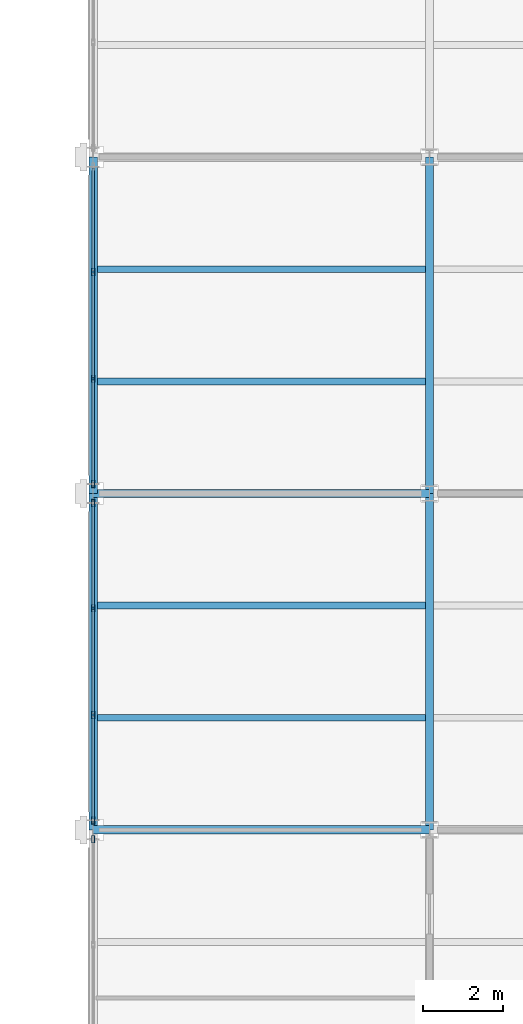
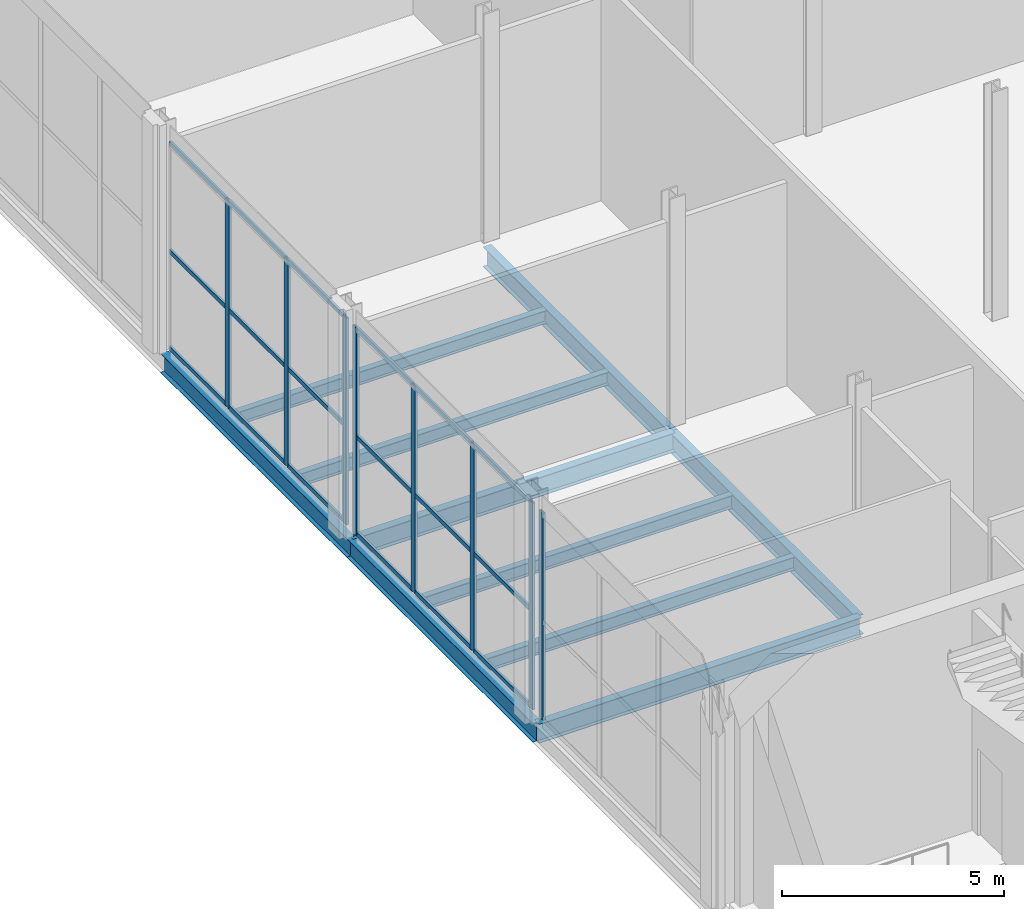
# One storey, part 29 of 77: 26 members, 10 beams, 3 elements without a shape of their own.
"""IFC4 building model written with IfcOpenShell, lengths in metres."""

from ifc_helpers import new_model, si_unit, direction, frame, origin, origin_2d, place, context, subcontext, project, spatial, hollow_rectangle, i_section, extrude, material, material_profile, profile_set, type_object, element, aggregate, save


model = new_model("IFC4")

# Units and contexts
model_context = context("Model", 3, precision=1e-05, world=origin(), true_north=direction((0.0, 1.0)))
body_context = subcontext(model_context, "Body", "Model", "MODEL_VIEW")
ifc_project = project(units=[si_unit("LENGTHUNIT", "METRE"), si_unit("AREAUNIT", "SQUARE_METRE"), si_unit("VOLUMEUNIT", "CUBIC_METRE"), si_unit("PLANEANGLEUNIT", "RADIAN"), si_unit("MASSUNIT", "GRAM", prefix="KILO")], contexts=[model_context])

# Site, building, storey
site_placement = place(None, origin())
site = spatial("IfcSite", under=ifc_project, at=site_placement, CompositionType="ELEMENT")
building_placement = place(site_placement, origin())
building = spatial("IfcBuilding", under=site, at=building_placement, Name="Catenary Quay Ferry Terminal", CompositionType="ELEMENT")
storey_placement = place(building_placement, frame((0.0, 0.0, 10.800048828125)))
storey = spatial("IfcBuildingStorey", under=building, at=storey_placement, Name="L02", CompositionType="ELEMENT", Elevation=10.800048828125)

# Beams
ifc_material_1 = material(Name="Steel S355", Category="steel")
ifc_material_profile_1 = material_profile(ifc_material_1, i_section(OverallWidth=0.208740234375, OverallDepth=0.5283203125, WebThickness=0.009521484375, FlangeThickness=0.01318359375, at=origin_2d()), Name="UB 533x210x82")
ifc_profile_set_1 = profile_set([ifc_material_profile_1], Name="Steel S355")
beam_type_1 = type_object("IfcBeamType", Name="B5 UB 533x210x82", PredefinedType="BEAM", material=ifc_profile_set_1)
for number, where, z_axis, x_axis, name in (
    (1, (25.199951171875, 176.39990234375, -0.51416015625), (1.0, 0.0, 0.0), (0.0, 1.0, 0.0), "Beam B5-005"),
    (2, (25.199951171875, 184.800048828125, -0.51416015625), (1.0, 0.0, 0.0), (0.0, 1.0, 0.0), "Beam B5-010"),
    (3, (25.199951171875, 176.39990234375, -0.51416015625), (0.0, 1.0, 0.0), (-1.0, 0.0, 0.0), "Beam B5-026"),
):
    element("IfcBeam", number, at=place(storey_placement, frame(where, z_axis=z_axis, x_axis=x_axis)), inside=storey, type_object=beam_type_1, Name=name, PredefinedType="BEAM", context=body_context, shape_type="SweptSolid", body=[
        extrude(i_section(OverallWidth=0.208740234375, OverallDepth=0.5283203125, WebThickness=0.009521484375, FlangeThickness=0.01318359375, at=origin_2d()), origin(), (0.0, 0.0, 1.0), 8.400146484375),
    ])
beam_1_placement = place(storey_placement, frame((25.199951171875, 184.800048828125, -0.51416015625), z_axis=(0.0, 1.0, 0.0), x_axis=(-1.0, 0.0, 0.0)))
element("IfcBeam", 4, at=beam_1_placement, inside=storey, type_object=beam_type_1, Name="Beam B5-027", PredefinedType="BEAM", context=body_context, shape_type="SweptSolid", body=[
    extrude(i_section(OverallWidth=0.208740234375, OverallDepth=0.5283203125, WebThickness=0.009521484375, FlangeThickness=0.01318359375, at=origin_2d()), origin(), (0.0, 0.0, 1.0), 8.39990234375),
])
ifc_material_2 = material(Name="Steel S355", Category="steel")
ifc_material_profile_2 = material_profile(ifc_material_2, i_section(OverallWidth=0.2099609375, OverallDepth=0.550048828125, WebThickness=0.010986328125, FlangeThickness=0.01708984375, at=origin_2d()), Name="IPE 550")
ifc_profile_set_2 = profile_set([ifc_material_profile_2], Name="Steel S355")
beam_type_2 = type_object("IfcBeamType", Name="B6 IPE 550", PredefinedType="BEAM", material=ifc_profile_set_2)
beam_2_placement = place(storey_placement, frame((33.60009765625, 176.39990234375, -0.525146484375), z_axis=(0.0, 1.0, 0.0), x_axis=(-1.0, 0.0, 0.0)))
element("IfcBeam", 5, at=beam_2_placement, inside=storey, type_object=beam_type_2, Name="Beam B6-002", PredefinedType="BEAM", context=body_context, shape_type="SweptSolid", body=[
    extrude(i_section(OverallWidth=0.2099609375, OverallDepth=0.550048828125, WebThickness=0.010986328125, FlangeThickness=0.01708984375, at=origin_2d()), origin(), (0.0, 0.0, 1.0), 8.400146484375),
])
beam_3_placement = place(storey_placement, frame((33.60009765625, 184.800048828125, -0.525146484375), z_axis=(0.0, 1.0, 0.0), x_axis=(-1.0, 0.0, 0.0)))
element("IfcBeam", 6, at=beam_3_placement, inside=storey, type_object=beam_type_2, Name="Beam B6-003", PredefinedType="BEAM", context=body_context, shape_type="SweptSolid", body=[
    extrude(i_section(OverallWidth=0.2099609375, OverallDepth=0.550048828125, WebThickness=0.010986328125, FlangeThickness=0.01708984375, at=origin_2d()), origin(), (0.0, 0.0, 1.0), 8.39990234375),
])
ifc_material_3 = material(Name="Steel S355", Category="steel")
ifc_material_profile_3 = material_profile(ifc_material_3, i_section(OverallWidth=0.169921875, OverallDepth=0.360107421875, WebThickness=0.008056640625, FlangeThickness=0.0126953125, at=origin_2d()), Name="IPE 360")
ifc_profile_set_3 = profile_set([ifc_material_profile_3], Name="Steel S355")
beam_type_3 = type_object("IfcBeamType", Name="B7 IPE 360", PredefinedType="BEAM", material=ifc_profile_set_3)
for number, where, z_axis, x_axis, name in (
    (7, (25.303955078125, 179.199951171875, -0.429931640625), (1.0, 0.0, 0.0), (0.0, 1.0, 0.0), "Beam B7-015"),
    (8, (25.303955078125, 182.0, -0.429931640625), (1.0, 0.0, 0.0), (0.0, 1.0, 0.0), "Beam B7-020"),
    (9, (25.303955078125, 187.60009765625, -0.429931640625), (1.0, 0.0, 0.0), (0.0, 1.0, 0.0), "Beam B7-025"),
    (10, (25.303955078125, 190.39990234375, -0.429931640625), (1.0, 0.0, 0.0), (0.0, 1.0, 0.0), "Beam B7-030"),
):
    element("IfcBeam", number, at=place(storey_placement, frame(where, z_axis=z_axis, x_axis=x_axis)), inside=storey, type_object=beam_type_3, Name=name, PredefinedType="BEAM", context=body_context, shape_type="SweptSolid", body=[
        extrude(i_section(OverallWidth=0.169921875, OverallDepth=0.360107421875, WebThickness=0.008056640625, FlangeThickness=0.0126953125, at=origin_2d()), origin(), (0.0, 0.0, 1.0), 8.191162109375),
    ])

# Curtain wall, member
ifc_material_4 = material(Name="Aluminium and glass", Category="aluminium")
curtain_wall_type = type_object("IfcCurtainWallType", Name="CWW2", PredefinedType="NOTDEFINED", material=ifc_material_4)
curtain_wall_1_placement = place(storey_placement, origin())
curtain_wall_1 = element("IfcCurtainWall", 11, at=curtain_wall_1_placement, inside=storey, type_object=curtain_wall_type, Name="Wing curtain wall CW138", PredefinedType="NOTDEFINED")
ifc_material_5 = material(Name="Aluminium", Category="aluminium")
ifc_material_profile_4 = material_profile(ifc_material_5, hollow_rectangle(XDim=0.070068359375, YDim=0.179931640625, WallThickness=0.006103515625, at=origin_2d()), Name="MU3")
ifc_profile_set_4 = profile_set([ifc_material_profile_4], Name="Aluminium")
member_type_1 = type_object("IfcMemberType", Name="MU3", PredefinedType="MULLION", material=ifc_profile_set_4)
member_1_placement = place(storey_placement, frame((25.199951171875, 176.1650390625, 0.0), z_axis=(0.0, 0.0, 1.0), x_axis=(-1.0, 0.0, 0.0)))
member_1 = element("IfcMember", 12, at=member_1_placement, type_object=member_type_1, Name="CW138 mullion 4", PredefinedType="MULLION", context=body_context, shape_type="SweptSolid", body=[
    extrude(hollow_rectangle(XDim=0.070068359375, YDim=0.179931640625, WallThickness=0.006103515625, at=origin_2d()), origin(), (0.0, 0.0, 1.0), 5.699951171875),
])
aggregate(curtain_wall_1, [member_1])

# Curtain wall, members
curtain_wall_2_placement = place(storey_placement, origin())
curtain_wall_2 = element("IfcCurtainWall", 13, at=curtain_wall_2_placement, inside=storey, type_object=curtain_wall_type, Name="Wing curtain wall CW139", PredefinedType="NOTDEFINED")
member_2_placement = place(storey_placement, frame((25.199951171875, 176.635009765625, 0.0), z_axis=(0.0, 0.0, 1.0), x_axis=(-1.0, 0.0, 0.0)))
member_2 = element("IfcMember", 14, at=member_2_placement, type_object=member_type_1, Name="CW139 mullion 1", PredefinedType="MULLION", context=body_context, shape_type="SweptSolid", body=[
    extrude(hollow_rectangle(XDim=0.070068359375, YDim=0.179931640625, WallThickness=0.006103515625, at=origin_2d()), origin(), (0.0, 0.0, 1.0), 5.699951171875),
])
member_3_placement = place(storey_placement, frame((25.199951171875, 179.2666015625, 0.0), z_axis=(0.0, 0.0, 1.0), x_axis=(-1.0, 0.0, 0.0)))
member_3 = element("IfcMember", 15, at=member_3_placement, type_object=member_type_1, Name="CW139 mullion 2", PredefinedType="MULLION", context=body_context, shape_type="SweptSolid", body=[
    extrude(hollow_rectangle(XDim=0.070068359375, YDim=0.179931640625, WallThickness=0.006103515625, at=origin_2d()), origin(), (0.0, 0.0, 1.0), 5.699951171875),
])
member_4_placement = place(storey_placement, frame((25.199951171875, 181.933349609375, 0.0), z_axis=(0.0, 0.0, 1.0), x_axis=(-1.0, 0.0, 0.0)))
member_4 = element("IfcMember", 16, at=member_4_placement, type_object=member_type_1, Name="CW139 mullion 3", PredefinedType="MULLION", context=body_context, shape_type="SweptSolid", body=[
    extrude(hollow_rectangle(XDim=0.070068359375, YDim=0.179931640625, WallThickness=0.006103515625, at=origin_2d()), origin(), (0.0, 0.0, 1.0), 5.699951171875),
])
member_5_placement = place(storey_placement, frame((25.199951171875, 184.56494140625, 0.0), z_axis=(0.0, 0.0, 1.0), x_axis=(-1.0, 0.0, 0.0)))
member_5 = element("IfcMember", 17, at=member_5_placement, type_object=member_type_1, Name="CW139 mullion 4", PredefinedType="MULLION", context=body_context, shape_type="SweptSolid", body=[
    extrude(hollow_rectangle(XDim=0.070068359375, YDim=0.179931640625, WallThickness=0.006103515625, at=origin_2d()), origin(), (0.0, 0.0, 1.0), 5.699951171875),
])

curtain_wall_3_placement = place(storey_placement, origin())
curtain_wall_3 = element("IfcCurtainWall", 18, at=curtain_wall_3_placement, inside=storey, type_object=curtain_wall_type, Name="Wing curtain wall CW140", PredefinedType="NOTDEFINED")
member_6_placement = place(storey_placement, frame((25.199951171875, 185.034912109375, 0.0), z_axis=(0.0, 0.0, 1.0), x_axis=(-1.0, 0.0, 0.0)))
member_6 = element("IfcMember", 19, at=member_6_placement, type_object=member_type_1, Name="CW140 mullion 1", PredefinedType="MULLION", context=body_context, shape_type="SweptSolid", body=[
    extrude(hollow_rectangle(XDim=0.070068359375, YDim=0.179931640625, WallThickness=0.006103515625, at=origin_2d()), origin(), (0.0, 0.0, 1.0), 5.699951171875),
])
member_7_placement = place(storey_placement, frame((25.199951171875, 187.666748046875, 0.0), z_axis=(0.0, 0.0, 1.0), x_axis=(-1.0, 0.0, 0.0)))
member_7 = element("IfcMember", 20, at=member_7_placement, type_object=member_type_1, Name="CW140 mullion 2", PredefinedType="MULLION", context=body_context, shape_type="SweptSolid", body=[
    extrude(hollow_rectangle(XDim=0.070068359375, YDim=0.179931640625, WallThickness=0.006103515625, at=origin_2d()), origin(), (0.0, 0.0, 1.0), 5.699951171875),
])
member_8_placement = place(storey_placement, frame((25.199951171875, 190.333251953125, 0.0), z_axis=(0.0, 0.0, 1.0), x_axis=(-1.0, 0.0, 0.0)))
member_8 = element("IfcMember", 21, at=member_8_placement, type_object=member_type_1, Name="CW140 mullion 3", PredefinedType="MULLION", context=body_context, shape_type="SweptSolid", body=[
    extrude(hollow_rectangle(XDim=0.070068359375, YDim=0.179931640625, WallThickness=0.006103515625, at=origin_2d()), origin(), (0.0, 0.0, 1.0), 5.699951171875),
])

# Member
ifc_material_6 = material(Name="Aluminium", Category="aluminium")
ifc_material_profile_5 = material_profile(ifc_material_6, hollow_rectangle(XDim=0.06005859375, YDim=0.1201171875, WallThickness=0.0048828125, at=origin_2d()), Name="TR3")
ifc_profile_set_5 = profile_set([ifc_material_profile_5], Name="Aluminium")
member_type_2 = type_object("IfcMemberType", Name="TR3", PredefinedType="USERDEFINED", material=ifc_profile_set_5)
member_9_placement = place(storey_placement, frame((25.199951171875, 176.669921875, 0.030029296875), z_axis=(0.0, 1.0, 0.0), x_axis=(-1.0, 0.0, 0.0)))
member_9 = element("IfcMember", 22, at=member_9_placement, type_object=member_type_2, Name="CW139 transom 1.1", ObjectType="TRANSOM", PredefinedType="USERDEFINED", context=body_context, shape_type="SweptSolid", body=[
    extrude(hollow_rectangle(XDim=0.06005859375, YDim=0.1201171875, WallThickness=0.0048828125, at=origin_2d()), origin(), (0.0, 0.0, 1.0), 2.561767578125),
])

member_10_placement = place(storey_placement, frame((25.199951171875, 176.669921875, 2.699951171875), z_axis=(0.0, 1.0, 0.0), x_axis=(-1.0, 0.0, 0.0)))
member_10 = element("IfcMember", 23, at=member_10_placement, type_object=member_type_2, Name="CW139 transom 1.2", ObjectType="TRANSOM", PredefinedType="USERDEFINED", context=body_context, shape_type="SweptSolid", body=[
    extrude(hollow_rectangle(XDim=0.06005859375, YDim=0.1201171875, WallThickness=0.0048828125, at=origin_2d()), origin(), (0.0, 0.0, 1.0), 2.561767578125),
])

member_11_placement = place(storey_placement, frame((25.199951171875, 176.669921875, 5.669921875), z_axis=(0.0, 1.0, 0.0), x_axis=(-1.0, 0.0, 0.0)))
member_11 = element("IfcMember", 24, at=member_11_placement, type_object=member_type_2, Name="CW139 transom 1.3", ObjectType="TRANSOM", PredefinedType="USERDEFINED", context=body_context, shape_type="SweptSolid", body=[
    extrude(hollow_rectangle(XDim=0.06005859375, YDim=0.1201171875, WallThickness=0.0048828125, at=origin_2d()), origin(), (0.0, 0.0, 1.0), 2.561767578125),
])

member_12_placement = place(storey_placement, frame((25.199951171875, 179.3017578125, 0.030029296875), z_axis=(0.0, 1.0, 0.0), x_axis=(-1.0, 0.0, 0.0)))
member_12 = element("IfcMember", 25, at=member_12_placement, type_object=member_type_2, Name="CW139 transom 2.1", ObjectType="TRANSOM", PredefinedType="USERDEFINED", context=body_context, shape_type="SweptSolid", body=[
    extrude(hollow_rectangle(XDim=0.06005859375, YDim=0.1201171875, WallThickness=0.0048828125, at=origin_2d()), origin(), (0.0, 0.0, 1.0), 2.5966796875),
])

member_13_placement = place(storey_placement, frame((25.199951171875, 179.3017578125, 2.699951171875), z_axis=(0.0, 1.0, 0.0), x_axis=(-1.0, 0.0, 0.0)))
member_13 = element("IfcMember", 26, at=member_13_placement, type_object=member_type_2, Name="CW139 transom 2.2", ObjectType="TRANSOM", PredefinedType="USERDEFINED", context=body_context, shape_type="SweptSolid", body=[
    extrude(hollow_rectangle(XDim=0.06005859375, YDim=0.1201171875, WallThickness=0.0048828125, at=origin_2d()), origin(), (0.0, 0.0, 1.0), 2.5966796875),
])

member_14_placement = place(storey_placement, frame((25.199951171875, 179.3017578125, 5.669921875), z_axis=(0.0, 1.0, 0.0), x_axis=(-1.0, 0.0, 0.0)))
member_14 = element("IfcMember", 27, at=member_14_placement, type_object=member_type_2, Name="CW139 transom 2.3", ObjectType="TRANSOM", PredefinedType="USERDEFINED", context=body_context, shape_type="SweptSolid", body=[
    extrude(hollow_rectangle(XDim=0.06005859375, YDim=0.1201171875, WallThickness=0.0048828125, at=origin_2d()), origin(), (0.0, 0.0, 1.0), 2.5966796875),
])

member_15_placement = place(storey_placement, frame((25.199951171875, 181.96826171875, 0.030029296875), z_axis=(0.0, 1.0, 0.0), x_axis=(-1.0, 0.0, 0.0)))
member_15 = element("IfcMember", 28, at=member_15_placement, type_object=member_type_2, Name="CW139 transom 3.1", ObjectType="TRANSOM", PredefinedType="USERDEFINED", context=body_context, shape_type="SweptSolid", body=[
    extrude(hollow_rectangle(XDim=0.06005859375, YDim=0.1201171875, WallThickness=0.0048828125, at=origin_2d()), origin(), (0.0, 0.0, 1.0), 2.561767578125),
])

member_16_placement = place(storey_placement, frame((25.199951171875, 181.96826171875, 2.699951171875), z_axis=(0.0, 1.0, 0.0), x_axis=(-1.0, 0.0, 0.0)))
member_16 = element("IfcMember", 29, at=member_16_placement, type_object=member_type_2, Name="CW139 transom 3.2", ObjectType="TRANSOM", PredefinedType="USERDEFINED", context=body_context, shape_type="SweptSolid", body=[
    extrude(hollow_rectangle(XDim=0.06005859375, YDim=0.1201171875, WallThickness=0.0048828125, at=origin_2d()), origin(), (0.0, 0.0, 1.0), 2.561767578125),
])

member_17_placement = place(storey_placement, frame((25.199951171875, 181.96826171875, 5.669921875), z_axis=(0.0, 1.0, 0.0), x_axis=(-1.0, 0.0, 0.0)))
member_17 = element("IfcMember", 30, at=member_17_placement, type_object=member_type_2, Name="CW139 transom 3.3", ObjectType="TRANSOM", PredefinedType="USERDEFINED", context=body_context, shape_type="SweptSolid", body=[
    extrude(hollow_rectangle(XDim=0.06005859375, YDim=0.1201171875, WallThickness=0.0048828125, at=origin_2d()), origin(), (0.0, 0.0, 1.0), 2.561767578125),
])

aggregate(curtain_wall_2, [member_2, member_3, member_4, member_5, member_9, member_10, member_11, member_12, member_13, member_14, member_15, member_16, member_17])

member_18_placement = place(storey_placement, frame((25.199951171875, 185.070068359375, 0.030029296875), z_axis=(0.0, 1.0, 0.0), x_axis=(-1.0, 0.0, 0.0)))
member_18 = element("IfcMember", 31, at=member_18_placement, type_object=member_type_2, Name="CW140 transom 1.1", ObjectType="TRANSOM", PredefinedType="USERDEFINED", context=body_context, shape_type="SweptSolid", body=[
    extrude(hollow_rectangle(XDim=0.06005859375, YDim=0.1201171875, WallThickness=0.0048828125, at=origin_2d()), origin(), (0.0, 0.0, 1.0), 2.5615234375),
])

member_19_placement = place(storey_placement, frame((25.199951171875, 185.070068359375, 2.699951171875), z_axis=(0.0, 1.0, 0.0), x_axis=(-1.0, 0.0, 0.0)))
member_19 = element("IfcMember", 32, at=member_19_placement, type_object=member_type_2, Name="CW140 transom 1.2", ObjectType="TRANSOM", PredefinedType="USERDEFINED", context=body_context, shape_type="SweptSolid", body=[
    extrude(hollow_rectangle(XDim=0.06005859375, YDim=0.1201171875, WallThickness=0.0048828125, at=origin_2d()), origin(), (0.0, 0.0, 1.0), 2.5615234375),
])

member_20_placement = place(storey_placement, frame((25.199951171875, 185.070068359375, 5.669921875), z_axis=(0.0, 1.0, 0.0), x_axis=(-1.0, 0.0, 0.0)))
member_20 = element("IfcMember", 33, at=member_20_placement, type_object=member_type_2, Name="CW140 transom 1.3", ObjectType="TRANSOM", PredefinedType="USERDEFINED", context=body_context, shape_type="SweptSolid", body=[
    extrude(hollow_rectangle(XDim=0.06005859375, YDim=0.1201171875, WallThickness=0.0048828125, at=origin_2d()), origin(), (0.0, 0.0, 1.0), 2.5615234375),
])

member_21_placement = place(storey_placement, frame((25.199951171875, 187.70166015625, 0.030029296875), z_axis=(0.0, 1.0, 0.0), x_axis=(-1.0, 0.0, 0.0)))
member_21 = element("IfcMember", 34, at=member_21_placement, type_object=member_type_2, Name="CW140 transom 2.1", ObjectType="TRANSOM", PredefinedType="USERDEFINED", context=body_context, shape_type="SweptSolid", body=[
    extrude(hollow_rectangle(XDim=0.06005859375, YDim=0.1201171875, WallThickness=0.0048828125, at=origin_2d()), origin(), (0.0, 0.0, 1.0), 2.5966796875),
])

member_22_placement = place(storey_placement, frame((25.199951171875, 187.70166015625, 2.699951171875), z_axis=(0.0, 1.0, 0.0), x_axis=(-1.0, 0.0, 0.0)))
member_22 = element("IfcMember", 35, at=member_22_placement, type_object=member_type_2, Name="CW140 transom 2.2", ObjectType="TRANSOM", PredefinedType="USERDEFINED", context=body_context, shape_type="SweptSolid", body=[
    extrude(hollow_rectangle(XDim=0.06005859375, YDim=0.1201171875, WallThickness=0.0048828125, at=origin_2d()), origin(), (0.0, 0.0, 1.0), 2.5966796875),
])

member_23_placement = place(storey_placement, frame((25.199951171875, 187.70166015625, 5.669921875), z_axis=(0.0, 1.0, 0.0), x_axis=(-1.0, 0.0, 0.0)))
member_23 = element("IfcMember", 36, at=member_23_placement, type_object=member_type_2, Name="CW140 transom 2.3", ObjectType="TRANSOM", PredefinedType="USERDEFINED", context=body_context, shape_type="SweptSolid", body=[
    extrude(hollow_rectangle(XDim=0.06005859375, YDim=0.1201171875, WallThickness=0.0048828125, at=origin_2d()), origin(), (0.0, 0.0, 1.0), 2.5966796875),
])

member_24_placement = place(storey_placement, frame((25.199951171875, 190.368408203125, 0.030029296875), z_axis=(0.0, 1.0, 0.0), x_axis=(-1.0, 0.0, 0.0)))
member_24 = element("IfcMember", 37, at=member_24_placement, type_object=member_type_2, Name="CW140 transom 3.1", ObjectType="TRANSOM", PredefinedType="USERDEFINED", context=body_context, shape_type="SweptSolid", body=[
    extrude(hollow_rectangle(XDim=0.06005859375, YDim=0.1201171875, WallThickness=0.0048828125, at=origin_2d()), origin(), (0.0, 0.0, 1.0), 2.5615234375),
])

member_25_placement = place(storey_placement, frame((25.199951171875, 190.368408203125, 2.699951171875), z_axis=(0.0, 1.0, 0.0), x_axis=(-1.0, 0.0, 0.0)))
member_25 = element("IfcMember", 38, at=member_25_placement, type_object=member_type_2, Name="CW140 transom 3.2", ObjectType="TRANSOM", PredefinedType="USERDEFINED", context=body_context, shape_type="SweptSolid", body=[
    extrude(hollow_rectangle(XDim=0.06005859375, YDim=0.1201171875, WallThickness=0.0048828125, at=origin_2d()), origin(), (0.0, 0.0, 1.0), 2.5615234375),
])

member_26_placement = place(storey_placement, frame((25.199951171875, 190.368408203125, 5.669921875), z_axis=(0.0, 1.0, 0.0), x_axis=(-1.0, 0.0, 0.0)))
member_26 = element("IfcMember", 39, at=member_26_placement, type_object=member_type_2, Name="CW140 transom 3.3", ObjectType="TRANSOM", PredefinedType="USERDEFINED", context=body_context, shape_type="SweptSolid", body=[
    extrude(hollow_rectangle(XDim=0.06005859375, YDim=0.1201171875, WallThickness=0.0048828125, at=origin_2d()), origin(), (0.0, 0.0, 1.0), 2.5615234375),
])

aggregate(curtain_wall_3, [member_6, member_7, member_8, member_18, member_19, member_20, member_21, member_22, member_23, member_24, member_25, member_26])

save(model, "model.ifc")
